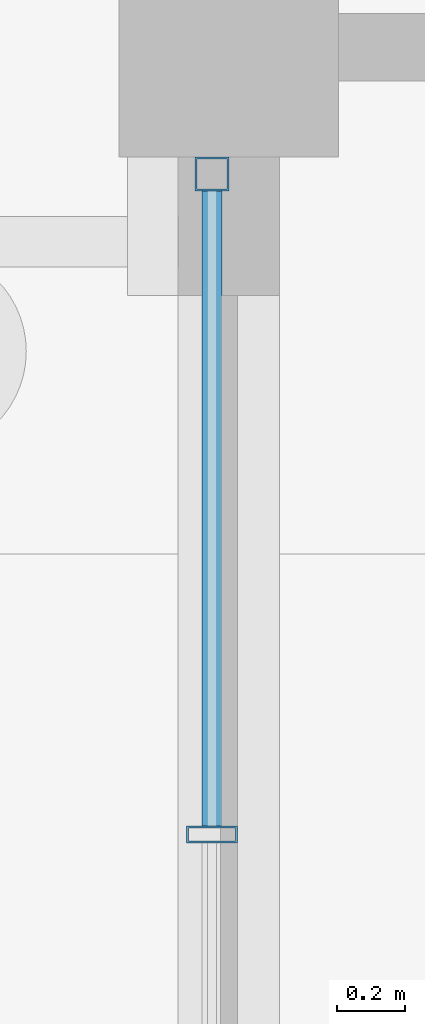
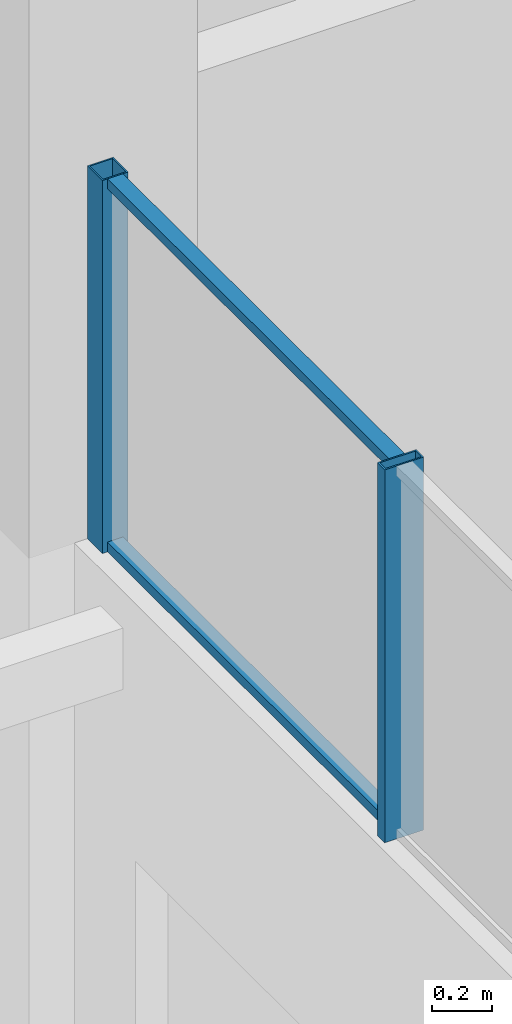
# One storey, part 54 of 129: 4 members, 1 element without a shape of its own.
"""IFC4 building model written with IfcOpenShell, lengths in metres."""

from ifc_helpers import new_model, si_unit, direction, frame, origin, origin_2d, place, context, subcontext, project, spatial, hollow_rectangle, extrude, material, layer, layer_set, material_profile, profile_set, type_object, element, aggregate, save


model = new_model("IFC4")

# Units and contexts
model_context = context("Model", 3, precision=1e-05, world=origin(), true_north=direction((0.0, 1.0)))
body_context = subcontext(model_context, "Body", "Model", "MODEL_VIEW")
ifc_project = project(units=[si_unit("LENGTHUNIT", "METRE"), si_unit("AREAUNIT", "SQUARE_METRE"), si_unit("VOLUMEUNIT", "CUBIC_METRE"), si_unit("PLANEANGLEUNIT", "RADIAN"), si_unit("MASSUNIT", "GRAM", prefix="KILO")], contexts=[model_context])

# Site, building, storey
site_placement = place(None, origin())
site = spatial("IfcSite", under=ifc_project, at=site_placement, CompositionType="ELEMENT")
building_placement = place(site_placement, origin())
building = spatial("IfcBuilding", under=site, at=building_placement, Name="Shirokan Park Arena", CompositionType="ELEMENT")
storey_placement = place(building_placement, origin())
storey = spatial("IfcBuildingStorey", under=building, at=storey_placement, Name="L00", CompositionType="ELEMENT", Elevation=0.0)

# Curtain wall, members
ifc_material_1 = material(Name="Steel and glass curtain wall", Category="steel")
ifc_layer = layer(ifc_material_1, 0.199951171875)
ifc_layer_set = layer_set([ifc_layer], Name="Steel and glass curtain wall 200 mm")
curtain_wall_type = type_object("IfcCurtainWallType", Name="Curtain wall shopfront bay 200", PredefinedType="NOTDEFINED", material=ifc_layer_set)
curtain_wall_placement = place(storey_placement, origin())
curtain_wall = element("IfcCurtainWall", 1, at=curtain_wall_placement, inside=storey, type_object=curtain_wall_type, Name="Curtain wall west bay 6 L00 clerestory 1", PredefinedType="NOTDEFINED")
ifc_material_2 = material(Name="Steel S355", Category="steel")
ifc_material_profile_1 = material_profile(ifc_material_2, hollow_rectangle(XDim=0.10009765625, YDim=0.10009765625, WallThickness=0.006103515625, at=origin_2d()), Name="RHS 100x100x6")
ifc_profile_set_1 = profile_set([ifc_material_profile_1], Name="Steel S355")
member_type_1 = type_object("IfcMemberType", Name="Mullion RHS 100x100x6", PredefinedType="MULLION", material=ifc_profile_set_1)
member_1_placement = place(storey_placement, frame((-0.050048828125, 63.324951171875, 3.75), z_axis=(0.0, 0.0, 1.0), x_axis=(1.0, 0.0, 0.0)))
member_1 = element("IfcMember", 2, at=member_1_placement, type_object=member_type_1, Name="CW4 mullion 1", PredefinedType="MULLION", context=body_context, shape_type="SweptSolid", body=[
    extrude(hollow_rectangle(XDim=0.10009765625, YDim=0.10009765625, WallThickness=0.006103515625, at=origin_2d()), origin(), (0.0, 0.0, 1.0), 1.52001953125),
])
ifc_material_profile_2 = material_profile(ifc_material_2, hollow_rectangle(XDim=0.14990234375, YDim=0.050048828125, WallThickness=0.006103515625, at=origin_2d()), Name="RHS 150x50x6")
ifc_profile_set_2 = profile_set([ifc_material_profile_2], Name="Steel S355")
member_type_2 = type_object("IfcMemberType", Name="Mullion RHS 150x50x6", PredefinedType="MULLION", material=ifc_profile_set_2)
member_2_placement = place(storey_placement, frame((-0.050048828125, 61.3701171875, 3.75), z_axis=(0.0, 0.0, 1.0), x_axis=(1.0, 0.0, 0.0)))
member_2 = element("IfcMember", 3, at=member_2_placement, type_object=member_type_2, Name="CW4 mullion 2", PredefinedType="MULLION", context=body_context, shape_type="SweptSolid", body=[
    extrude(hollow_rectangle(XDim=0.14990234375, YDim=0.050048828125, WallThickness=0.006103515625, at=origin_2d()), origin(), (0.0, 0.0, 1.0), 1.52001953125),
])
ifc_material_profile_3 = material_profile(ifc_material_2, hollow_rectangle(XDim=0.06005859375, YDim=0.0400390625, WallThickness=0.00390625, at=origin_2d()), Name="RHS 60x40x4")
ifc_profile_set_3 = profile_set([ifc_material_profile_3], Name="Steel S355")
member_type_3 = type_object("IfcMemberType", Name="Transom RHS 60x40x4", PredefinedType="MULLION", material=ifc_profile_set_3)
member_3_placement = place(storey_placement, frame((-0.050048828125, 63.27490234375, 3.77001953125), z_axis=(0.0, -1.0, 0.0), x_axis=(1.0, 0.0, 0.0)))
member_3 = element("IfcMember", 4, at=member_3_placement, type_object=member_type_3, Name="CW4 transom 1.1", PredefinedType="MULLION", context=body_context, shape_type="SweptSolid", body=[
    extrude(hollow_rectangle(XDim=0.06005859375, YDim=0.0400390625, WallThickness=0.00390625, at=origin_2d()), origin(), (0.0, 0.0, 1.0), 1.8798828125),
])
member_4_placement = place(storey_placement, frame((-0.050048828125, 63.27490234375, 5.25), z_axis=(0.0, -1.0, 0.0), x_axis=(1.0, 0.0, 0.0)))
member_4 = element("IfcMember", 5, at=member_4_placement, type_object=member_type_3, Name="CW4 transom 1.2", PredefinedType="MULLION", context=body_context, shape_type="SweptSolid", body=[
    extrude(hollow_rectangle(XDim=0.06005859375, YDim=0.0400390625, WallThickness=0.00390625, at=origin_2d()), origin(), (0.0, 0.0, 1.0), 1.8798828125),
])
aggregate(curtain_wall, [member_1, member_2, member_3, member_4])

save(model, "model.ifc")
